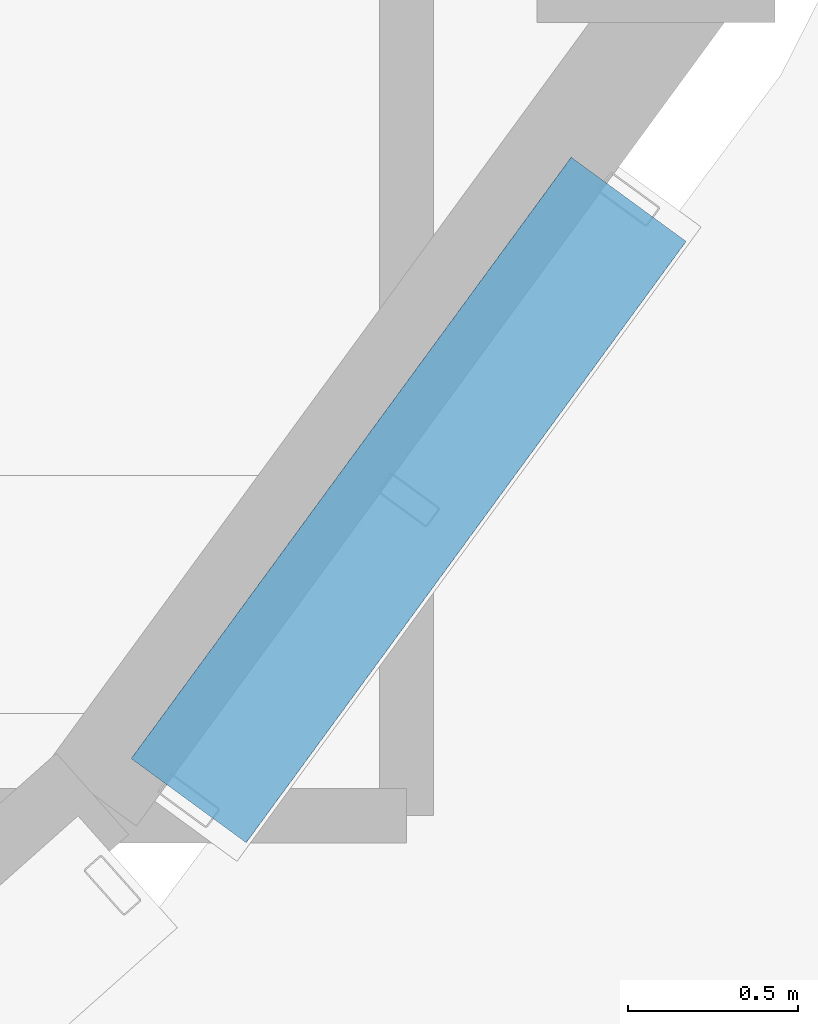
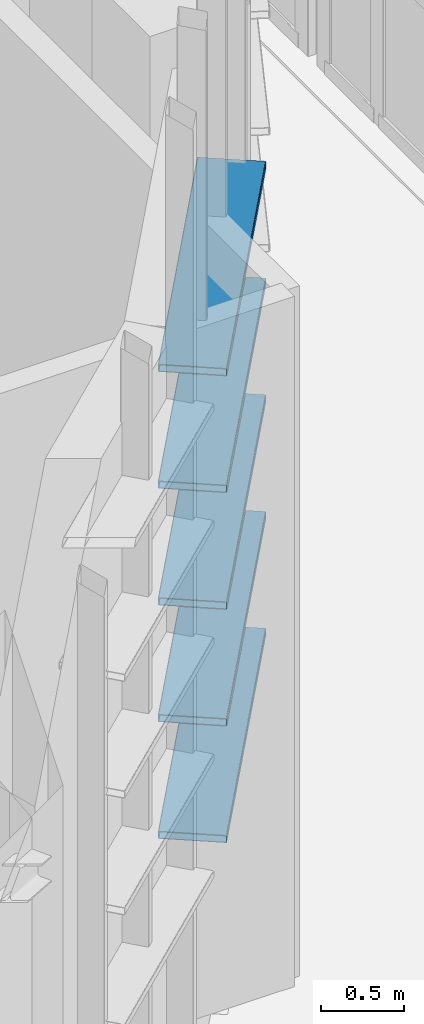
# One storey, part 263 of 372: 5 members.
"""IFC4 building model written with IfcOpenShell, lengths in metres."""

from ifc_helpers import new_model, si_unit, direction, frame, origin, origin_2d, place, context, subcontext, project, spatial, hollow_rectangle, extrude, material, material_profile, profile_set, type_object, element, save


model = new_model("IFC4")

# Units and contexts
model_context = context("Model", 3, precision=1e-05, world=origin(), true_north=direction((0.0, 1.0)))
body_context = subcontext(model_context, "Body", "Model", "MODEL_VIEW")
ifc_project = project(units=[si_unit("LENGTHUNIT", "METRE"), si_unit("AREAUNIT", "SQUARE_METRE"), si_unit("VOLUMEUNIT", "CUBIC_METRE"), si_unit("PLANEANGLEUNIT", "RADIAN"), si_unit("MASSUNIT", "GRAM", prefix="KILO")], contexts=[model_context])

# Site, building, storey
site_placement = place(None, origin())
site = spatial("IfcSite", under=ifc_project, at=site_placement, CompositionType="ELEMENT")
building_placement = place(site_placement, origin())
building = spatial("IfcBuilding", under=site, at=building_placement, Name="Kaelora Sail Theatre", CompositionType="ELEMENT")
storey_placement = place(building_placement, origin())
storey = spatial("IfcBuildingStorey", under=building, at=storey_placement, Name="L00", CompositionType="ELEMENT", Elevation=0.0)

# Members
ifc_material = material(Name="Anodised aluminium 6063-T6", Category="aluminium")
ifc_material_profile = material_profile(ifc_material, hollow_rectangle(XDim=0.419921875, YDim=0.054931640625, WallThickness=0.00390625, InnerFilletRadius=0.00390625, OuterFilletRadius=0.008056640625, at=origin_2d()), Name="LOUVRE 420x55x4")
ifc_profile_set = profile_set([ifc_material_profile], Name="Anodised aluminium 6063-T6")
member_type = type_object("IfcMemberType", Name="ARC-MEM-LVR-420", PredefinedType="USERDEFINED", material=ifc_profile_set)
for number, where, z_axis, x_axis, name in (
    (1, (143.153564453125, 28.81298828125, 1.25), (-0.590513532852, -0.807027736524, 0.0), (0.807027736524, -0.590513532852, 0.0), "Black-Box and Experimental Sail Wing horizontal solar louvre C7-01"),
    (2, (143.153564453125, 28.81298828125, 2.110107421875), (-0.590513532852, -0.807027736524, 0.0), (0.807027736524, -0.590513532852, 0.0), "Black-Box and Experimental Sail Wing horizontal solar louvre C7-02"),
    (3, (143.153564453125, 28.81298828125, 2.969970703125), (-0.590513532852, -0.807027736524, 0.0), (0.807027736524, -0.590513532852, 0.0), "Black-Box and Experimental Sail Wing horizontal solar louvre C7-03"),
    (4, (143.153564453125, 28.81298828125, 3.830078125), (-0.590513532852, -0.807027736524, 0.0), (0.807027736524, -0.590513532852, 0.0), "Black-Box and Experimental Sail Wing horizontal solar louvre C7-04"),
    (5, (143.153564453125, 28.81298828125, 4.68994140625), (-0.590513532852, -0.807027736524, 0.0), (0.807027736524, -0.590513532852, 0.0), "Black-Box and Experimental Sail Wing horizontal solar louvre C7-05"),
):
    element("IfcMember", number, at=place(storey_placement, frame(where, z_axis=z_axis, x_axis=x_axis)), inside=storey, type_object=member_type, Name=name, ObjectType="LOUVRE", PredefinedType="USERDEFINED", context=body_context, shape_type="SweptSolid", body=[
        extrude(hollow_rectangle(XDim=0.419921875, YDim=0.054931640625, WallThickness=0.00390625, InnerFilletRadius=0.00390625, OuterFilletRadius=0.008056640625, at=origin_2d()), origin(), (0.0, 0.0, 1.0), 2.192138671875),
    ])

save(model, "model.ifc")
